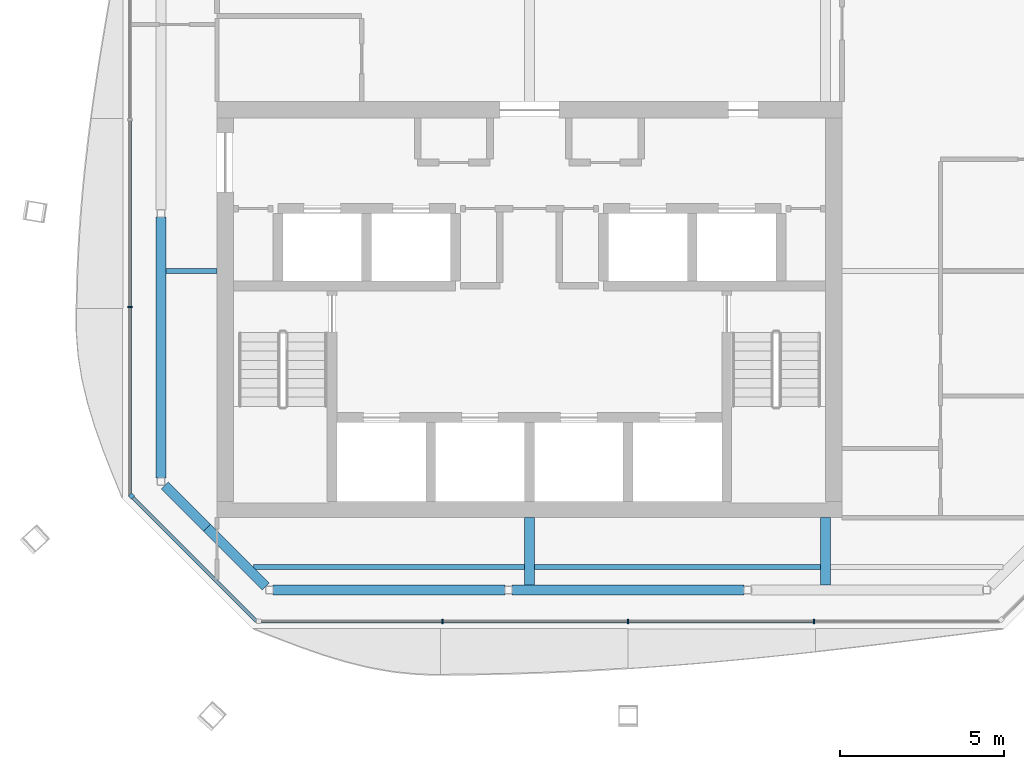
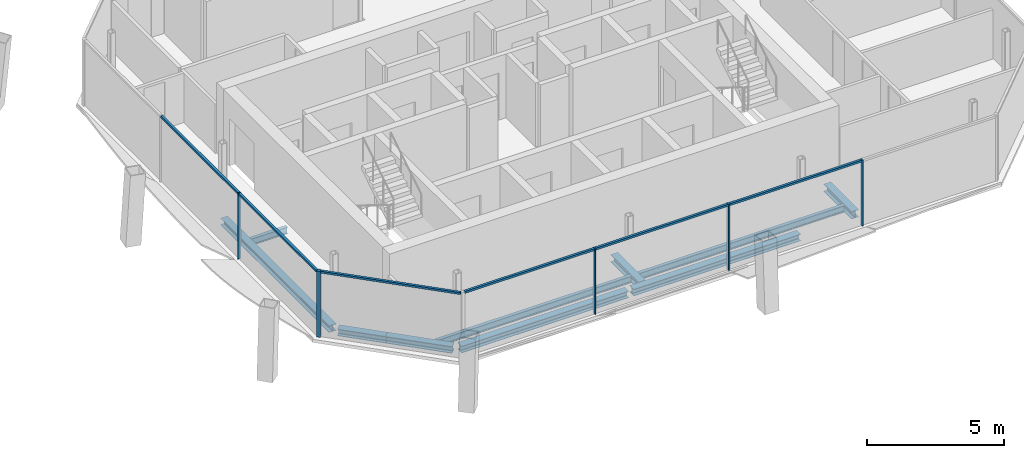
# One storey, part 3 of 13: 11 members, 10 beams, 3 elements without a shape of their own.
"""IFC4 building model written with IfcOpenShell, lengths in metres."""

from ifc_helpers import new_model, si_unit, direction, frame, origin, origin_2d, place, context, subcontext, project, spatial, rectangle, i_section, extrude, material, material_profile, profile_set, type_object, element, aggregate, save


model = new_model("IFC4")

# Units and contexts
model_context = context("Model", 3, precision=1e-05, world=origin(), true_north=direction((0.0, 1.0)))
body_context = subcontext(model_context, "Body", "Model", "MODEL_VIEW")
ifc_project = project(units=[si_unit("LENGTHUNIT", "METRE"), si_unit("AREAUNIT", "SQUARE_METRE"), si_unit("VOLUMEUNIT", "CUBIC_METRE"), si_unit("PLANEANGLEUNIT", "RADIAN"), si_unit("MASSUNIT", "GRAM", prefix="KILO")], contexts=[model_context])

# Site, building, storey
site_placement = place(None, origin())
site = spatial("IfcSite", under=ifc_project, at=site_placement, CompositionType="ELEMENT")
building_placement = place(site_placement, origin())
building = spatial("IfcBuilding", under=site, at=building_placement, Name="Tskaro Facet Tower", CompositionType="ELEMENT")
storey_placement = place(building_placement, frame((0.0, 0.0, 291.0)))
storey = spatial("IfcBuildingStorey", under=building, at=storey_placement, Name="L78", CompositionType="ELEMENT", Elevation=291.0)

# Curtain wall, member
ifc_material_1 = material(Name="Bronze anodised aluminium 6063-T6", Category="aluminium")
curtain_wall_type = type_object("IfcCurtainWallType", Name="Bronze residence curtain wall (FW3)", PredefinedType="NOTDEFINED", material=ifc_material_1)
curtain_wall_1_placement = place(storey_placement, origin())
curtain_wall_1 = element("IfcCurtainWall", 1, at=curtain_wall_1_placement, inside=storey, type_object=curtain_wall_type, Name="FW3 south-west facet L78", PredefinedType="NOTDEFINED")
ifc_material_profile_1 = material_profile(ifc_material_1, rectangle(XDim=0.139892578125, YDim=0.139892578125, at=origin_2d()), Name="Corner post 140x140")
ifc_profile_set_1 = profile_set([ifc_material_profile_1], Name="Bronze anodised aluminium 6063-T6")
member_type_1 = type_object("IfcMemberType", Name="FW3 bronze corner post 140x140", PredefinedType="MULLION", material=ifc_profile_set_1)
member_1_placement = place(storey_placement, frame((-12.1005859375, -11.345458984375, 0.0), z_axis=(0.0, 0.0, 1.0), x_axis=(0.707106781187, -0.707106781187, 0.0)))
member_1 = element("IfcMember", 2, at=member_1_placement, type_object=member_type_1, Name="FW3 south-west corner post", PredefinedType="MULLION", context=body_context, shape_type="SweptSolid", body=[
    extrude(rectangle(XDim=0.139892578125, YDim=0.139892578125, at=origin_2d()), origin(), (0.0, 0.0, 1.0), 2.949951171875),
])

# Curtain wall, members
curtain_wall_2_placement = place(storey_placement, origin())
curtain_wall_2 = element("IfcCurtainWall", 3, at=curtain_wall_2_placement, inside=storey, type_object=curtain_wall_type, Name="FW3 south facet L78", PredefinedType="NOTDEFINED")
ifc_material_profile_2 = material_profile(ifc_material_1, rectangle(XDim=0.050048828125, YDim=0.139892578125, at=origin_2d()), Name="Mullion 50x140")
ifc_profile_set_2 = profile_set([ifc_material_profile_2], Name="Bronze anodised aluminium 6063-T6")
member_type_2 = type_object("IfcMemberType", Name="FW3 bronze mullion 50x140", PredefinedType="MULLION", material=ifc_profile_set_2)
member_2_placement = place(storey_placement, frame((-2.64794921875, -15.14990234375, 0.0), z_axis=(0.0, 0.0, 1.0), x_axis=(1.0, 0.0, 0.0)))
member_2 = element("IfcMember", 4, at=member_2_placement, type_object=member_type_2, Name="FW3 south mullion 1", PredefinedType="MULLION", context=body_context, shape_type="SweptSolid", body=[
    extrude(rectangle(XDim=0.050048828125, YDim=0.139892578125, at=origin_2d()), origin(), (0.0, 0.0, 1.0), 2.949951171875),
])
member_3_placement = place(storey_placement, frame((3.0, -15.14990234375, 0.0), z_axis=(0.0, 0.0, 1.0), x_axis=(1.0, 0.0, 0.0)))
member_3 = element("IfcMember", 5, at=member_3_placement, type_object=member_type_2, Name="FW3 south mullion 2", PredefinedType="MULLION", context=body_context, shape_type="SweptSolid", body=[
    extrude(rectangle(XDim=0.050048828125, YDim=0.139892578125, at=origin_2d()), origin(), (0.0, 0.0, 1.0), 2.949951171875),
])
member_4_placement = place(storey_placement, frame((8.64794921875, -15.14990234375, 0.0), z_axis=(0.0, 0.0, 1.0), x_axis=(1.0, 0.0, 0.0)))
member_4 = element("IfcMember", 6, at=member_4_placement, type_object=member_type_2, Name="FW3 south mullion 3", PredefinedType="MULLION", context=body_context, shape_type="SweptSolid", body=[
    extrude(rectangle(XDim=0.050048828125, YDim=0.139892578125, at=origin_2d()), origin(), (0.0, 0.0, 1.0), 2.949951171875),
])

# Curtain wall, member
curtain_wall_3_placement = place(storey_placement, origin())
curtain_wall_3 = element("IfcCurtainWall", 7, at=curtain_wall_3_placement, inside=storey, type_object=curtain_wall_type, Name="FW3 west facet L78", PredefinedType="NOTDEFINED")
member_5_placement = place(storey_placement, frame((-12.14990234375, -5.5986328125, 0.0), z_axis=(0.0, 0.0, 1.0), x_axis=(0.0, -1.0, 0.0)))
member_5 = element("IfcMember", 8, at=member_5_placement, type_object=member_type_2, Name="FW3 west mullion 2", PredefinedType="MULLION", context=body_context, shape_type="SweptSolid", body=[
    extrude(rectangle(XDim=0.050048828125, YDim=0.139892578125, at=origin_2d()), origin(), (0.0, 0.0, 1.0), 2.949951171875),
])

# Member
ifc_material_profile_3 = material_profile(ifc_material_1, rectangle(XDim=0.10009765625, YDim=0.090087890625, at=origin_2d()), Name="Transom 100x90")
ifc_profile_set_3 = profile_set([ifc_material_profile_3], Name="Bronze anodised aluminium 6063-T6")
member_type_3 = type_object("IfcMemberType", Name="FW3 bronze transom 100x90", PredefinedType="USERDEFINED", material=ifc_profile_set_3)
member_6_placement = place(storey_placement, frame((-8.156005859375, -15.14990234375, 2.905029296875), z_axis=(1.0, 0.0, 0.0), x_axis=(0.0, 1.0, 0.0)))
member_6 = element("IfcMember", 9, at=member_6_placement, type_object=member_type_3, Name="FW3 south transom 1.1", ObjectType="TRANSOM", PredefinedType="USERDEFINED", context=body_context, shape_type="SweptSolid", body=[
    extrude(rectangle(XDim=0.10009765625, YDim=0.090087890625, at=origin_2d()), origin(), (0.0, 0.0, 1.0), 5.48291015625),
])

member_7_placement = place(storey_placement, frame((-2.623046875, -15.14990234375, 2.905029296875), z_axis=(1.0, 0.0, 0.0), x_axis=(0.0, 1.0, 0.0)))
member_7 = element("IfcMember", 10, at=member_7_placement, type_object=member_type_3, Name="FW3 south transom 2.1", ObjectType="TRANSOM", PredefinedType="USERDEFINED", context=body_context, shape_type="SweptSolid", body=[
    extrude(rectangle(XDim=0.10009765625, YDim=0.090087890625, at=origin_2d()), origin(), (0.0, 0.0, 1.0), 5.59814453125),
])

member_8_placement = place(storey_placement, frame((3.02490234375, -15.14990234375, 2.905029296875), z_axis=(1.0, 0.0, 0.0), x_axis=(0.0, 1.0, 0.0)))
member_8 = element("IfcMember", 11, at=member_8_placement, type_object=member_type_3, Name="FW3 south transom 3.1", ObjectType="TRANSOM", PredefinedType="USERDEFINED", context=body_context, shape_type="SweptSolid", body=[
    extrude(rectangle(XDim=0.10009765625, YDim=0.090087890625, at=origin_2d()), origin(), (0.0, 0.0, 1.0), 5.59814453125),
])

aggregate(curtain_wall_2, [member_2, member_3, member_4, member_6, member_7, member_8])

member_9_placement = place(storey_placement, frame((-12.14990234375, 0.07373046875, 2.905029296875), z_axis=(0.0, -1.0, 0.0), x_axis=(1.0, 0.0, 0.0)))
member_9 = element("IfcMember", 12, at=member_9_placement, type_object=member_type_3, Name="FW3 west transom 2.1", ObjectType="TRANSOM", PredefinedType="USERDEFINED", context=body_context, shape_type="SweptSolid", body=[
    extrude(rectangle(XDim=0.10009765625, YDim=0.090087890625, at=origin_2d()), origin(), (0.0, 0.0, 1.0), 5.6474609375),
])

member_10_placement = place(storey_placement, frame((-12.14990234375, -5.623779296875, 2.905029296875), z_axis=(0.0, -1.0, 0.0), x_axis=(1.0, 0.0, 0.0)))
member_10 = element("IfcMember", 13, at=member_10_placement, type_object=member_type_3, Name="FW3 west transom 3.1", ObjectType="TRANSOM", PredefinedType="USERDEFINED", context=body_context, shape_type="SweptSolid", body=[
    extrude(rectangle(XDim=0.10009765625, YDim=0.090087890625, at=origin_2d()), origin(), (0.0, 0.0, 1.0), 5.672119140625),
])

aggregate(curtain_wall_3, [member_5, member_9, member_10])

member_11_placement = place(storey_placement, frame((-12.051025390625, -11.39501953125, 2.905029296875), z_axis=(0.707129767932, -0.707083793693, 0.0), x_axis=(0.707083793693, 0.707129767932, 0.0)))
member_11 = element("IfcMember", 14, at=member_11_placement, type_object=member_type_3, Name="FW3 south-west transom 1.1", ObjectType="TRANSOM", PredefinedType="USERDEFINED", context=body_context, shape_type="SweptSolid", body=[
    extrude(rectangle(XDim=0.10009765625, YDim=0.090087890625, at=origin_2d()), origin(), (0.0, 0.0, 1.0), 5.310302734375),
])

aggregate(curtain_wall_1, [member_1, member_11])

# Beams
ifc_material_2 = material(Name="Steel S355J2", Category="steel")
ifc_material_profile_4 = material_profile(ifc_material_2, i_section(OverallWidth=0.300048828125, OverallDepth=0.300048828125, WebThickness=0.010986328125, FlangeThickness=0.01904296875, FilletRadius=0.027099609375, at=origin_2d()), Name="HE 300 B")
ifc_profile_set_4 = profile_set([ifc_material_profile_4], Name="Steel S355J2")
beam_type_1 = type_object("IfcBeamType", Name="HE 300 B ring beam", PredefinedType="BEAM", material=ifc_profile_set_4)
beam_1_placement = place(storey_placement, frame((-7.798095703125, -14.199951171875, -0.2900390625), z_axis=(1.0, 0.0, 0.0), x_axis=(0.0, 1.0, 0.0)))
element("IfcBeam", 15, at=beam_1_placement, inside=storey, type_object=beam_type_1, Name="HE 300 B EB1-6", PredefinedType="BEAM", context=body_context, shape_type="SweptSolid", body=[
    extrude(i_section(OverallWidth=0.300048828125, OverallDepth=0.300048828125, WebThickness=0.010986328125, FlangeThickness=0.01904296875, FilletRadius=0.027099609375, at=origin_2d()), origin(), (0.0, 0.0, 1.0), 7.05908203125),
])
beam_2_placement = place(storey_placement, frame((-0.529052734375, -14.199951171875, -0.2900390625), z_axis=(1.0, 0.0, 0.0), x_axis=(0.0, 1.0, 0.0)))
element("IfcBeam", 16, at=beam_2_placement, inside=storey, type_object=beam_type_1, Name="HE 300 B EB2-6", PredefinedType="BEAM", context=body_context, shape_type="SweptSolid", body=[
    extrude(i_section(OverallWidth=0.300048828125, OverallDepth=0.300048828125, WebThickness=0.010986328125, FlangeThickness=0.01904296875, FilletRadius=0.027099609375, at=origin_2d()), origin(), (0.0, 0.0, 1.0), 7.05810546875),
])
beam_3_placement = place(storey_placement, frame((-11.199951171875, -2.85498046875, -0.2900390625), z_axis=(0.0, -1.0, 0.0), x_axis=(1.0, 0.0, 0.0)))
element("IfcBeam", 17, at=beam_3_placement, inside=storey, type_object=beam_type_1, Name="HE 300 B EB14-6", PredefinedType="BEAM", context=body_context, shape_type="SweptSolid", body=[
    extrude(i_section(OverallWidth=0.300048828125, OverallDepth=0.300048828125, WebThickness=0.010986328125, FlangeThickness=0.01904296875, FilletRadius=0.027099609375, at=origin_2d()), origin(), (0.0, 0.0, 1.0), 7.943115234375),
])
beam_4_placement = place(storey_placement, frame((-11.089111328125, -11.013916015625, -0.2900390625), z_axis=(0.707106781187, -0.707106781187, 0.0), x_axis=(0.707106781187, 0.707106781187, 0.0)))
element("IfcBeam", 18, at=beam_4_placement, inside=storey, type_object=beam_type_1, Name="HE 300 B EB15a-6", PredefinedType="BEAM", context=body_context, shape_type="SweptSolid", body=[
    extrude(i_section(OverallWidth=0.300048828125, OverallDepth=0.300048828125, WebThickness=0.010986328125, FlangeThickness=0.01904296875, FilletRadius=0.027099609375, at=origin_2d()), origin(), (0.0, 0.0, 1.0), 1.821044921875),
])
beam_5_placement = place(storey_placement, frame((-9.801513671875, -12.301513671875, -0.2900390625), z_axis=(0.707106781187, -0.707106781187, 0.0), x_axis=(0.707106781187, 0.707106781187, 0.0)))
element("IfcBeam", 19, at=beam_5_placement, inside=storey, type_object=beam_type_1, Name="HE 300 B EB15b-6", PredefinedType="BEAM", context=body_context, shape_type="SweptSolid", body=[
    extrude(i_section(OverallWidth=0.300048828125, OverallDepth=0.300048828125, WebThickness=0.010986328125, FlangeThickness=0.01904296875, FilletRadius=0.027099609375, at=origin_2d()), origin(), (0.0, 0.0, 1.0), 2.528076171875),
])
ifc_material_profile_5 = material_profile(ifc_material_2, i_section(OverallWidth=0.300048828125, OverallDepth=0.330078125, WebThickness=0.009521484375, FlangeThickness=0.0166015625, FilletRadius=0.027099609375, at=origin_2d()), Name="HE 340 A")
ifc_profile_set_5 = profile_set([ifc_material_profile_5], Name="Steel S355J2")
beam_type_2 = type_object("IfcBeamType", Name="HE 340 A girder", PredefinedType="BEAM", material=ifc_profile_set_5)
for number, where, z_axis, x_axis, name in (
    (20, (0.0, -14.050048828125, -0.304931640625), (0.0, 1.0, 0.0), (-1.0, 0.0, 0.0), "HE 340 A GB4-1-6"),
    (21, (9.0, -14.050048828125, -0.304931640625), (0.0, 1.0, 0.0), (-1.0, 0.0, 0.0), "HE 340 A GB5-1-6"),
):
    element("IfcBeam", number, at=place(storey_placement, frame(where, z_axis=z_axis, x_axis=x_axis)), inside=storey, type_object=beam_type_2, Name=name, PredefinedType="BEAM", context=body_context, shape_type="SweptSolid", body=[
        extrude(i_section(OverallWidth=0.300048828125, OverallDepth=0.330078125, WebThickness=0.009521484375, FlangeThickness=0.0166015625, FilletRadius=0.027099609375, at=origin_2d()), origin(), (0.0, 0.0, 1.0), 2.050048828125),
    ])
ifc_material_profile_6 = material_profile(ifc_material_2, i_section(OverallWidth=0.14990234375, OverallDepth=0.300048828125, WebThickness=0.007080078125, FlangeThickness=0.0107421875, FilletRadius=0.014892578125, at=origin_2d()), Name="IPE 300")
ifc_profile_set_6 = profile_set([ifc_material_profile_6], Name="Steel S355J2")
beam_type_3 = type_object("IfcBeamType", Name="IPE 300 secondary beam", PredefinedType="BEAM", material=ifc_profile_set_6)
beam_6_placement = place(storey_placement, frame((-8.39111328125, -13.5, -0.2900390625), z_axis=(1.0, 0.0, 0.0), x_axis=(0.0, 1.0, 0.0)))
element("IfcBeam", 22, at=beam_6_placement, inside=storey, type_object=beam_type_3, Name="IPE 300 SB2a-1-6", PredefinedType="BEAM", context=body_context, shape_type="SweptSolid", body=[
    extrude(i_section(OverallWidth=0.14990234375, OverallDepth=0.300048828125, WebThickness=0.007080078125, FlangeThickness=0.0107421875, FilletRadius=0.014892578125, at=origin_2d()), origin(), (0.0, 0.0, 1.0), 8.2412109375),
])
beam_7_placement = place(storey_placement, frame((0.14990234375, -13.5, -0.2900390625), z_axis=(1.0, 0.0, 0.0), x_axis=(0.0, 1.0, 0.0)))
element("IfcBeam", 23, at=beam_7_placement, inside=storey, type_object=beam_type_3, Name="IPE 300 SB2a-2-6", PredefinedType="BEAM", context=body_context, shape_type="SweptSolid", body=[
    extrude(i_section(OverallWidth=0.14990234375, OverallDepth=0.300048828125, WebThickness=0.007080078125, FlangeThickness=0.0107421875, FilletRadius=0.014892578125, at=origin_2d()), origin(), (0.0, 0.0, 1.0), 8.7001953125),
])
beam_8_placement = place(storey_placement, frame((-11.050048828125, -4.5, -0.2900390625), z_axis=(1.0, 0.0, 0.0), x_axis=(0.0, 1.0, 0.0)))
element("IfcBeam", 24, at=beam_8_placement, inside=storey, type_object=beam_type_3, Name="IPE 300 SB3a-1-6", PredefinedType="BEAM", context=body_context, shape_type="SweptSolid", body=[
    extrude(i_section(OverallWidth=0.14990234375, OverallDepth=0.300048828125, WebThickness=0.007080078125, FlangeThickness=0.0107421875, FilletRadius=0.014892578125, at=origin_2d()), origin(), (0.0, 0.0, 1.0), 1.550048828125),
])

save(model, "model.ifc")
